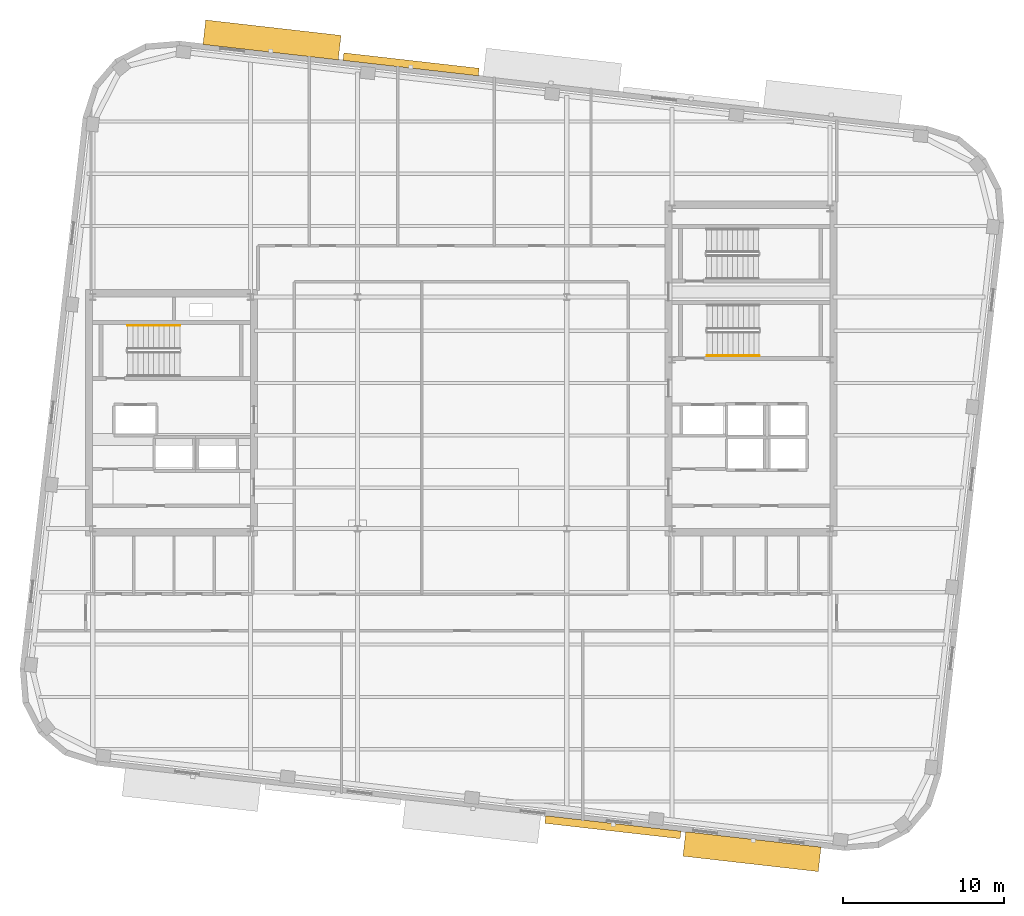
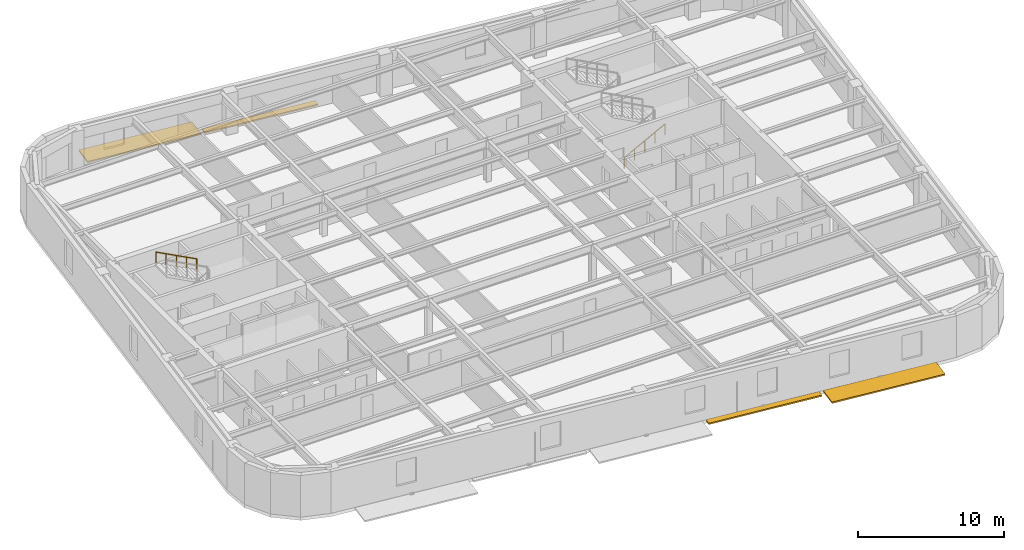
# One storey, part 12 of 13: 4 shading devices, 2 railings.
"""IFC4 building model written with IfcOpenShell, lengths in metres."""

from ifc_helpers import new_model, si_unit, direction, frame, origin, origin_2d, place, context, subcontext, project, spatial, rectangle, circle, extrude, material, type_object, element, save


model = new_model("IFC4")

# Units and contexts
model_context = context("Model", 3, precision=1e-05, world=origin(), true_north=direction((0.0, 1.0)))
body_context = subcontext(model_context, "Body", "Model", "MODEL_VIEW")
ifc_project = project(units=[si_unit("LENGTHUNIT", "METRE"), si_unit("AREAUNIT", "SQUARE_METRE"), si_unit("VOLUMEUNIT", "CUBIC_METRE"), si_unit("PLANEANGLEUNIT", "RADIAN"), si_unit("MASSUNIT", "GRAM", prefix="KILO")], contexts=[model_context])

# Site, building, storey
site_placement = place(None, origin())
site = spatial("IfcSite", under=ifc_project, at=site_placement, CompositionType="ELEMENT")
building_placement = place(site_placement, origin())
building = spatial("IfcBuilding", under=site, at=building_placement, Name="Kolvaren Arena Tower", CompositionType="ELEMENT")
storey_placement = place(building_placement, frame((0.0, 0.0, 254.699951171875)))
storey = spatial("IfcBuildingStorey", under=building, at=storey_placement, Name="L62", CompositionType="ELEMENT", Elevation=254.699951171875)

# Railings
ifc_material_1 = material(Name="Brushed stainless steel handrail", Category="steel")
railing_type = type_object("IfcRailingType", Name="HRAIL-900", PredefinedType="HANDRAIL", material=ifc_material_1)
railing_1_placement = place(storey_placement, frame((19.9599609375, 32.080078125, 2.04541015625)))
element("IfcRailing", 1, at=railing_1_placement, inside=storey, type_object=railing_type, Name="L62 ST-W1 stair handrail 2", PredefinedType="HANDRAIL", context=body_context, shape_type="SweptSolid", body=[
    extrude(circle(Radius=0.02392578125, at=origin_2d()), frame((0.0, 0.0, 0.8759765625), z_axis=(-0.884993431791, 0.0, 0.465603506952), x_axis=(0.0, -1.0, 0.0)), (0.0, 0.0, 1.0), 3.6611328125),
    extrude(circle(Radius=0.02099609375, at=origin_2d()), origin(), (0.0, 0.0, 1.0), 0.851806640625),
    extrude(circle(Radius=0.02099609375, at=origin_2d()), frame((-0.81005859375, 0.0, 0.42626953125)), (0.0, 0.0, 1.0), 0.851806640625),
    extrude(circle(Radius=0.02099609375, at=origin_2d()), frame((-1.6201171875, 0.0, 0.852294921875)), (0.0, 0.0, 1.0), 0.851806640625),
    extrude(circle(Radius=0.02099609375, at=origin_2d()), frame((-2.429931640625, 0.0, 1.2783203125)), (0.0, 0.0, 1.0), 0.851806640625),
    extrude(circle(Radius=0.02099609375, at=origin_2d()), frame((-3.239990234375, 0.0, 1.70458984375)), (0.0, 0.0, 1.0), 0.851806640625),
])
railing_2_placement = place(storey_placement, frame((52.719970703125, 30.199951171875, 0.17041015625)))
element("IfcRailing", 2, at=railing_2_placement, inside=storey, type_object=railing_type, Name="L62 ST-E1 stair handrail 1", PredefinedType="HANDRAIL", context=body_context, shape_type="SweptSolid", body=[
    extrude(circle(Radius=0.02392578125, at=origin_2d()), frame((0.0, 0.0, 0.8759765625), z_axis=(0.884993431791, 0.0, 0.465603506952), x_axis=(0.0, 1.0, 0.0)), (0.0, 0.0, 1.0), 3.6611328125),
    extrude(circle(Radius=0.02099609375, at=origin_2d()), origin(), (0.0, 0.0, 1.0), 0.851806640625),
    extrude(circle(Radius=0.02099609375, at=origin_2d()), frame((0.81005859375, 0.0, 0.42626953125)), (0.0, 0.0, 1.0), 0.851806640625),
    extrude(circle(Radius=0.02099609375, at=origin_2d()), frame((1.6201171875, 0.0, 0.852294921875)), (0.0, 0.0, 1.0), 0.851806640625),
    extrude(circle(Radius=0.02099609375, at=origin_2d()), frame((2.429931640625, 0.0, 1.2783203125)), (0.0, 0.0, 1.0), 0.851806640625),
    extrude(circle(Radius=0.02099609375, at=origin_2d()), frame((3.239990234375, 0.0, 1.70458984375)), (0.0, 0.0, 1.0), 0.851806640625),
])

# Shading devices
ifc_material_2 = material(Name="Architectural precast GFRC and anodised aluminium sunshade", Category="concrete")
shading_device_type_1 = type_object("IfcShadingDeviceType", Name="SHAD-SINE-A", PredefinedType="USERDEFINED", material=ifc_material_2)
for number, where, z_axis, x_axis, name in (
    (3, (34.33251953125, 48.298828125, -0.139892578125), (0.0, 0.0, 1.0), (0.993571658098, -0.113204947878, 0.0), "Sinusoidal Slab-Edge Sunshade Louvre (L62)"),
    (4, (46.867431640625, 0.901123046875, -0.139892578125), (0.0, 0.0, 1.0), (-0.993571658098, 0.113204947878, 0.0), "Sinusoidal Slab-Edge Sunshade Louvre (L62)"),
):
    element("IfcShadingDevice", number, at=place(storey_placement, frame(where, z_axis=z_axis, x_axis=x_axis)), inside=storey, type_object=shading_device_type_1, Name=name, ObjectType="LOUVRE", PredefinedType="USERDEFINED", context=body_context, shape_type="SweptSolid", body=[
        extrude(rectangle(XDim=8.4599609375, YDim=0.473876953125, at=origin_2d()), origin(), (0.0, 0.0, 1.0), 0.1201171875),
    ])
shading_device_type_2 = type_object("IfcShadingDeviceType", Name="SHAD-SINE-B", PredefinedType="JALOUSIE", material=ifc_material_2)
for number, where, z_axis, x_axis, name in (
    (5, (25.688720703125, 49.8154296875, -0.139892578125), (0.0, 0.0, 1.0), (0.993571658098, -0.113204947878, 0.0), "Sinusoidal Slab-Edge Sunshade Louvre (L62)"),
    (6, (55.511474609375, -0.615478515625, -0.139892578125), (0.0, 0.0, 1.0), (-0.993571658098, 0.113204947878, 0.0), "Sinusoidal Slab-Edge Sunshade Louvre (L62)"),
):
    element("IfcShadingDevice", number, at=place(storey_placement, frame(where, z_axis=z_axis, x_axis=x_axis)), inside=storey, type_object=shading_device_type_2, Name=name, PredefinedType="JALOUSIE", context=body_context, shape_type="SweptSolid", body=[
        extrude(rectangle(XDim=8.4599609375, YDim=1.530517578125, at=origin_2d()), origin(), (0.0, 0.0, 1.0), 0.1201171875),
    ])

save(model, "model.ifc")
